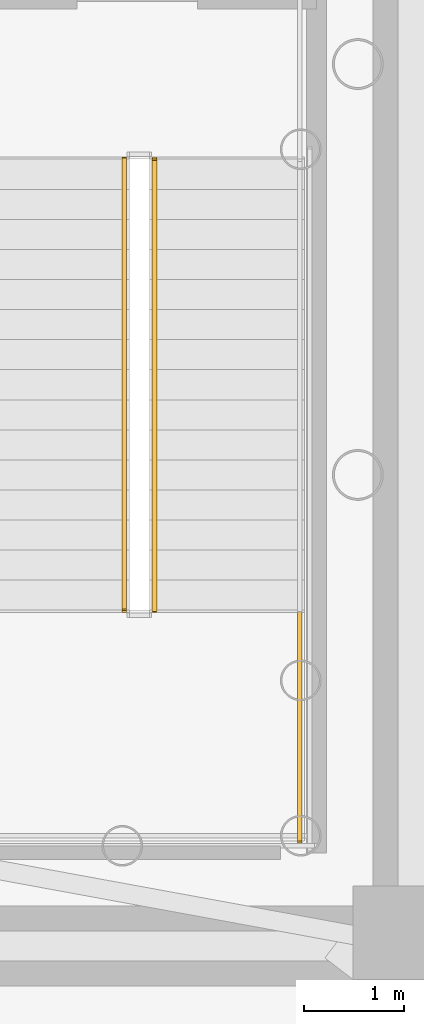
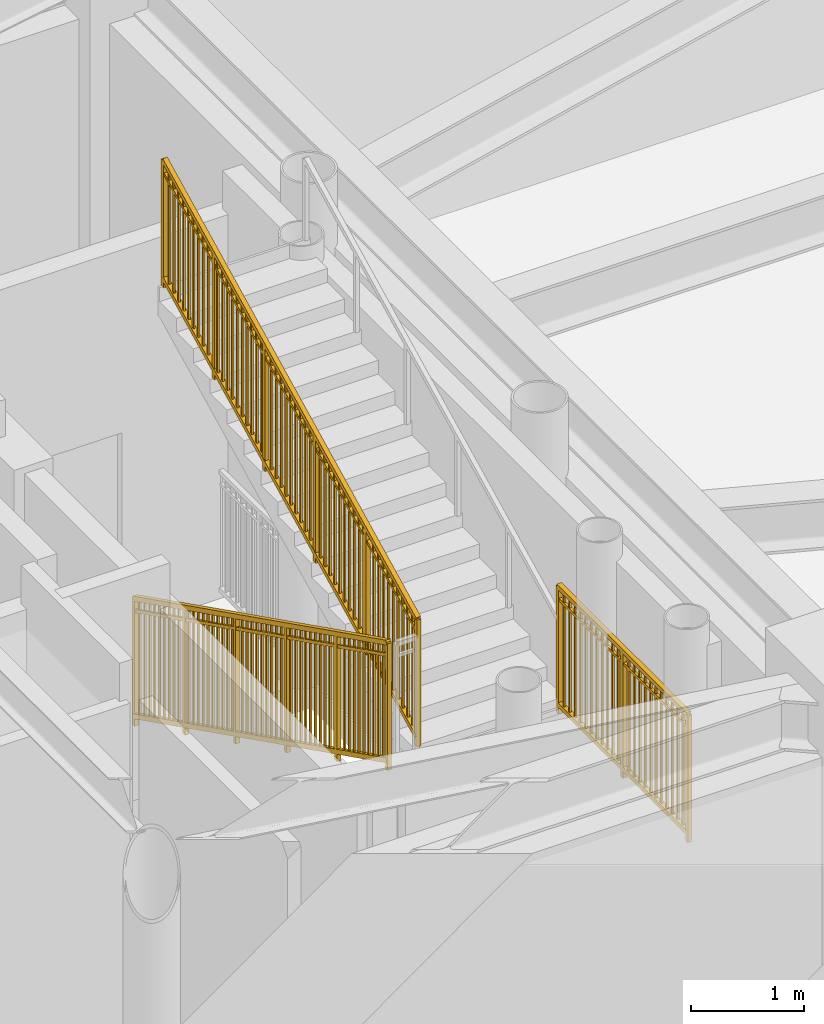
# One storey, part 36 of 38: 3 railings.
"""IFC4 building model written with IfcOpenShell, lengths in metres."""

from ifc_helpers import new_model, si_unit, direction, frame, origin, origin_2d, place, context, subcontext, project, spatial, rectangle, extrude, source, transform, mapped, material, type_object, element, save


model = new_model("IFC4")

# Units and contexts
model_context = context("Model", 3, precision=1e-05, world=origin(), true_north=direction((0.0, 1.0)))
body_context = subcontext(model_context, "Body", "Model", "MODEL_VIEW")
ifc_project = project(units=[si_unit("LENGTHUNIT", "METRE"), si_unit("AREAUNIT", "SQUARE_METRE"), si_unit("VOLUMEUNIT", "CUBIC_METRE"), si_unit("PLANEANGLEUNIT", "RADIAN"), si_unit("MASSUNIT", "GRAM", prefix="KILO")], contexts=[model_context])

# Site, building, storey
site_placement = place(None, origin())
site = spatial("IfcSite", under=ifc_project, at=site_placement, CompositionType="ELEMENT")
building_placement = place(site_placement, origin())
building = spatial("IfcBuilding", under=site, at=building_placement, Name="Linh Dai School and Residence Tower", CompositionType="ELEMENT")
storey_placement = place(building_placement, frame((0.0, 0.0, 151.35009765625)))
storey = spatial("IfcBuildingStorey", under=building, at=storey_placement, Name="L36", CompositionType="ELEMENT", Elevation=151.35009765625)

# Railings
ifc_material = material(Name="Structural Steel S355JR", Category="steel")
railing_type = type_object("IfcRailingType", Name="RL-ST-GUARD-1400", PredefinedType="GUARDRAIL", material=ifc_material)
shared_shape_1 = source(origin(), body_context, "Body", "SweptSolid", [
    extrude(rectangle(XDim=0.048095703125, YDim=0.048095703125, at=origin_2d()), frame((0.0, 0.0, 1.3759765625), z_axis=(0.0, 0.894427191, 0.4472135955), x_axis=(-1.0, 0.0, 0.0)), (0.0, 0.0, 1.0), 5.03125),
    extrude(rectangle(XDim=0.048095703125, YDim=0.048095703125, at=origin_2d()), frame((0.0, 0.0, 0.10009765625), z_axis=(0.0, 0.894427191, 0.4472135955), x_axis=(-1.0, 0.0, 0.0)), (0.0, 0.0, 1.0), 5.03125),
    extrude(rectangle(XDim=0.030029296875, YDim=0.030029296875, at=origin_2d()), frame((0.0, 0.0, 1.239990234375), z_axis=(0.0, 0.894427191, 0.4472135955), x_axis=(-1.0, 0.0, 0.0)), (0.0, 0.0, 1.0), 5.03125),
    extrude(rectangle(XDim=0.02001953125, YDim=0.02001953125, at=origin_2d()), frame((0.0, 0.08642578125, 0.143310546875)), (0.0, 0.0, 1.0), 1.251708984375),
    extrude(rectangle(XDim=0.02001953125, YDim=0.02001953125, at=origin_2d()), frame((0.0, 0.173095703125, 0.1865234375)), (0.0, 0.0, 1.0), 1.251708984375),
    extrude(rectangle(XDim=0.02001953125, YDim=0.02001953125, at=origin_2d()), frame((0.0, 0.259521484375, 0.22998046875)), (0.0, 0.0, 1.0), 1.251708984375),
    extrude(rectangle(XDim=0.02001953125, YDim=0.02001953125, at=origin_2d()), frame((0.0, 0.34619140625, 0.273193359375)), (0.0, 0.0, 1.0), 1.251708984375),
    extrude(rectangle(XDim=0.02001953125, YDim=0.02001953125, at=origin_2d()), frame((0.0, 0.4326171875, 0.31640625)), (0.0, 0.0, 1.0), 1.251708984375),
    extrude(rectangle(XDim=0.02001953125, YDim=0.02001953125, at=origin_2d()), frame((0.0, 0.519287109375, 0.359619140625)), (0.0, 0.0, 1.0), 1.251708984375),
    extrude(rectangle(XDim=0.02001953125, YDim=0.02001953125, at=origin_2d()), frame((0.0, 0.605712890625, 0.403076171875)), (0.0, 0.0, 1.0), 1.251708984375),
    extrude(rectangle(XDim=0.02001953125, YDim=0.02001953125, at=origin_2d()), frame((0.0, 0.6923828125, 0.4462890625)), (0.0, 0.0, 1.0), 1.251708984375),
    extrude(rectangle(XDim=0.02001953125, YDim=0.02001953125, at=origin_2d()), frame((0.0, 0.77880859375, 0.489501953125)), (0.0, 0.0, 1.0), 1.251708984375),
    extrude(rectangle(XDim=0.02001953125, YDim=0.02001953125, at=origin_2d()), frame((0.0, 0.951904296875, 0.576171875)), (0.0, 0.0, 1.0), 1.251708984375),
    extrude(rectangle(XDim=0.02001953125, YDim=0.02001953125, at=origin_2d()), frame((0.0, 1.03857421875, 0.619384765625)), (0.0, 0.0, 1.0), 1.251708984375),
    extrude(rectangle(XDim=0.02001953125, YDim=0.02001953125, at=origin_2d()), frame((0.0, 1.125, 0.66259765625)), (0.0, 0.0, 1.0), 1.251708984375),
    extrude(rectangle(XDim=0.02001953125, YDim=0.02001953125, at=origin_2d()), frame((0.0, 1.21142578125, 0.705810546875)), (0.0, 0.0, 1.0), 1.251708984375),
    extrude(rectangle(XDim=0.02001953125, YDim=0.02001953125, at=origin_2d()), frame((0.0, 1.298095703125, 0.7490234375)), (0.0, 0.0, 1.0), 1.251708984375),
    extrude(rectangle(XDim=0.02001953125, YDim=0.02001953125, at=origin_2d()), frame((0.0, 1.384521484375, 0.79248046875)), (0.0, 0.0, 1.0), 1.251708984375),
    extrude(rectangle(XDim=0.02001953125, YDim=0.02001953125, at=origin_2d()), frame((0.0, 1.47119140625, 0.835693359375)), (0.0, 0.0, 1.0), 1.251708984375),
    extrude(rectangle(XDim=0.02001953125, YDim=0.02001953125, at=origin_2d()), frame((0.0, 1.5576171875, 0.87890625)), (0.0, 0.0, 1.0), 1.251708984375),
    extrude(rectangle(XDim=0.02001953125, YDim=0.02001953125, at=origin_2d()), frame((0.0, 1.644287109375, 0.922119140625)), (0.0, 0.0, 1.0), 1.251708984375),
    extrude(rectangle(XDim=0.02001953125, YDim=0.02001953125, at=origin_2d()), frame((0.0, 1.730712890625, 0.965576171875)), (0.0, 0.0, 1.0), 1.251708984375),
    extrude(rectangle(XDim=0.02001953125, YDim=0.02001953125, at=origin_2d()), frame((0.0, 1.90380859375, 1.052001953125)), (0.0, 0.0, 1.0), 1.251708984375),
    extrude(rectangle(XDim=0.02001953125, YDim=0.02001953125, at=origin_2d()), frame((0.0, 1.990478515625, 1.09521484375)), (0.0, 0.0, 1.0), 1.251708984375),
    extrude(rectangle(XDim=0.02001953125, YDim=0.02001953125, at=origin_2d()), frame((0.0, 2.076904296875, 1.138671875)), (0.0, 0.0, 1.0), 1.251708984375),
    extrude(rectangle(XDim=0.02001953125, YDim=0.02001953125, at=origin_2d()), frame((0.0, 2.16357421875, 1.181884765625)), (0.0, 0.0, 1.0), 1.251708984375),
    extrude(rectangle(XDim=0.02001953125, YDim=0.02001953125, at=origin_2d()), frame((0.0, 2.25, 1.22509765625)), (0.0, 0.0, 1.0), 1.251708984375),
    extrude(rectangle(XDim=0.02001953125, YDim=0.02001953125, at=origin_2d()), frame((0.0, 2.33642578125, 1.268310546875)), (0.0, 0.0, 1.0), 1.251708984375),
    extrude(rectangle(XDim=0.02001953125, YDim=0.02001953125, at=origin_2d()), frame((0.0, 2.423095703125, 1.3115234375)), (0.0, 0.0, 1.0), 1.251708984375),
    extrude(rectangle(XDim=0.02001953125, YDim=0.02001953125, at=origin_2d()), frame((0.0, 2.509521484375, 1.35498046875)), (0.0, 0.0, 1.0), 1.251708984375),
    extrude(rectangle(XDim=0.02001953125, YDim=0.02001953125, at=origin_2d()), frame((0.0, 2.59619140625, 1.398193359375)), (0.0, 0.0, 1.0), 1.251708984375),
    extrude(rectangle(XDim=0.02001953125, YDim=0.02001953125, at=origin_2d()), frame((0.0, 2.769287109375, 1.484619140625)), (0.0, 0.0, 1.0), 1.251708984375),
    extrude(rectangle(XDim=0.02001953125, YDim=0.02001953125, at=origin_2d()), frame((0.0, 2.855712890625, 1.528076171875)), (0.0, 0.0, 1.0), 1.251708984375),
    extrude(rectangle(XDim=0.02001953125, YDim=0.02001953125, at=origin_2d()), frame((0.0, 2.9423828125, 1.5712890625)), (0.0, 0.0, 1.0), 1.251708984375),
    extrude(rectangle(XDim=0.02001953125, YDim=0.02001953125, at=origin_2d()), frame((0.0, 3.02880859375, 1.614501953125)), (0.0, 0.0, 1.0), 1.251708984375),
    extrude(rectangle(XDim=0.02001953125, YDim=0.02001953125, at=origin_2d()), frame((0.0, 3.115478515625, 1.65771484375)), (0.0, 0.0, 1.0), 1.251708984375),
    extrude(rectangle(XDim=0.02001953125, YDim=0.02001953125, at=origin_2d()), frame((0.0, 3.201904296875, 1.701171875)), (0.0, 0.0, 1.0), 1.251708984375),
    extrude(rectangle(XDim=0.02001953125, YDim=0.02001953125, at=origin_2d()), frame((0.0, 3.28857421875, 1.744384765625)), (0.0, 0.0, 1.0), 1.251708984375),
    extrude(rectangle(XDim=0.02001953125, YDim=0.02001953125, at=origin_2d()), frame((0.0, 3.375, 1.78759765625)), (0.0, 0.0, 1.0), 1.251708984375),
    extrude(rectangle(XDim=0.02001953125, YDim=0.02001953125, at=origin_2d()), frame((0.0, 3.46142578125, 1.830810546875)), (0.0, 0.0, 1.0), 1.251708984375),
    extrude(rectangle(XDim=0.02001953125, YDim=0.02001953125, at=origin_2d()), frame((0.0, 3.548095703125, 1.8740234375)), (0.0, 0.0, 1.0), 1.251708984375),
    extrude(rectangle(XDim=0.02001953125, YDim=0.02001953125, at=origin_2d()), frame((0.0, 3.72119140625, 1.960693359375)), (0.0, 0.0, 1.0), 1.251708984375),
    extrude(rectangle(XDim=0.02001953125, YDim=0.02001953125, at=origin_2d()), frame((0.0, 3.8076171875, 2.00390625)), (0.0, 0.0, 1.0), 1.251708984375),
    extrude(rectangle(XDim=0.02001953125, YDim=0.02001953125, at=origin_2d()), frame((0.0, 3.894287109375, 2.047119140625)), (0.0, 0.0, 1.0), 1.251708984375),
    extrude(rectangle(XDim=0.02001953125, YDim=0.02001953125, at=origin_2d()), frame((0.0, 3.980712890625, 2.090576171875)), (0.0, 0.0, 1.0), 1.251708984375),
    extrude(rectangle(XDim=0.02001953125, YDim=0.02001953125, at=origin_2d()), frame((0.0, 4.0673828125, 2.1337890625)), (0.0, 0.0, 1.0), 1.251708984375),
    extrude(rectangle(XDim=0.02001953125, YDim=0.02001953125, at=origin_2d()), frame((0.0, 4.15380859375, 2.177001953125)), (0.0, 0.0, 1.0), 1.251708984375),
    extrude(rectangle(XDim=0.02001953125, YDim=0.02001953125, at=origin_2d()), frame((0.0, 4.240478515625, 2.22021484375)), (0.0, 0.0, 1.0), 1.251708984375),
    extrude(rectangle(XDim=0.02001953125, YDim=0.02001953125, at=origin_2d()), frame((0.0, 4.326904296875, 2.263671875)), (0.0, 0.0, 1.0), 1.251708984375),
    extrude(rectangle(XDim=0.02001953125, YDim=0.02001953125, at=origin_2d()), frame((0.0, 4.41357421875, 2.306884765625)), (0.0, 0.0, 1.0), 1.251708984375),
    extrude(rectangle(XDim=0.0419921875, YDim=0.0419921875, at=origin_2d()), origin(), (0.0, 0.0, 1.0), 1.3759765625),
    extrude(rectangle(XDim=0.0419921875, YDim=0.0419921875, at=origin_2d()), frame((0.0, 0.89990234375, 0.449951171875)), (0.0, 0.0, 1.0), 1.3759765625),
    extrude(rectangle(XDim=0.0419921875, YDim=0.0419921875, at=origin_2d()), frame((0.0, 1.800048828125, 0.89990234375)), (0.0, 0.0, 1.0), 1.3759765625),
    extrude(rectangle(XDim=0.0419921875, YDim=0.0419921875, at=origin_2d()), frame((0.0, 2.699951171875, 1.35009765625)), (0.0, 0.0, 1.0), 1.3759765625),
    extrude(rectangle(XDim=0.0419921875, YDim=0.0419921875, at=origin_2d()), frame((0.0, 3.60009765625, 1.800048828125)), (0.0, 0.0, 1.0), 1.3759765625),
    extrude(rectangle(XDim=0.0419921875, YDim=0.0419921875, at=origin_2d()), frame((0.0, 4.5, 2.25)), (0.0, 0.0, 1.0), 1.3759765625),
])
railing_1_placement = place(storey_placement, frame((42.820068359375, 23.75, 2.5498046875)))
element("IfcRailing", 1, at=railing_1_placement, inside=storey, type_object=railing_type, Name="L36 ST2 stair guard 6", PredefinedType="GUARDRAIL", context=body_context, shape_type="MappedRepresentation", body=[
    mapped(shared_shape_1, transform((0.0, 0.0, 0.0), x_axis=(1.0, 0.0, 0.0), y_axis=(0.0, 1.0, 0.0), z_axis=(0.0, 0.0, 1.0), scale=1.0)),
])
shared_shape_2 = source(origin(), body_context, "Body", "SweptSolid", [
    extrude(rectangle(XDim=0.048095703125, YDim=0.048095703125, at=origin_2d()), frame((0.0, 0.0, 1.3759765625), z_axis=(0.0, -0.894427191, 0.4472135955), x_axis=(1.0, 0.0, 0.0)), (0.0, 0.0, 1.0), 5.03125),
    extrude(rectangle(XDim=0.048095703125, YDim=0.048095703125, at=origin_2d()), frame((0.0, 0.0, 0.10009765625), z_axis=(0.0, -0.894427191, 0.4472135955), x_axis=(1.0, 0.0, 0.0)), (0.0, 0.0, 1.0), 5.03125),
    extrude(rectangle(XDim=0.030029296875, YDim=0.030029296875, at=origin_2d()), frame((0.0, 0.0, 1.239990234375), z_axis=(0.0, -0.894427191, 0.4472135955), x_axis=(1.0, 0.0, 0.0)), (0.0, 0.0, 1.0), 5.03125),
    extrude(rectangle(XDim=0.02001953125, YDim=0.02001953125, at=origin_2d()), frame((0.0, -0.08642578125, 0.143310546875)), (0.0, 0.0, 1.0), 1.251708984375),
    extrude(rectangle(XDim=0.02001953125, YDim=0.02001953125, at=origin_2d()), frame((0.0, -0.173095703125, 0.1865234375)), (0.0, 0.0, 1.0), 1.251708984375),
    extrude(rectangle(XDim=0.02001953125, YDim=0.02001953125, at=origin_2d()), frame((0.0, -0.259521484375, 0.22998046875)), (0.0, 0.0, 1.0), 1.251708984375),
    extrude(rectangle(XDim=0.02001953125, YDim=0.02001953125, at=origin_2d()), frame((0.0, -0.34619140625, 0.273193359375)), (0.0, 0.0, 1.0), 1.251708984375),
    extrude(rectangle(XDim=0.02001953125, YDim=0.02001953125, at=origin_2d()), frame((0.0, -0.4326171875, 0.31640625)), (0.0, 0.0, 1.0), 1.251708984375),
    extrude(rectangle(XDim=0.02001953125, YDim=0.02001953125, at=origin_2d()), frame((0.0, -0.519287109375, 0.359619140625)), (0.0, 0.0, 1.0), 1.251708984375),
    extrude(rectangle(XDim=0.02001953125, YDim=0.02001953125, at=origin_2d()), frame((0.0, -0.605712890625, 0.403076171875)), (0.0, 0.0, 1.0), 1.251708984375),
    extrude(rectangle(XDim=0.02001953125, YDim=0.02001953125, at=origin_2d()), frame((0.0, -0.6923828125, 0.4462890625)), (0.0, 0.0, 1.0), 1.251708984375),
    extrude(rectangle(XDim=0.02001953125, YDim=0.02001953125, at=origin_2d()), frame((0.0, -0.77880859375, 0.489501953125)), (0.0, 0.0, 1.0), 1.251708984375),
    extrude(rectangle(XDim=0.02001953125, YDim=0.02001953125, at=origin_2d()), frame((0.0, -0.951904296875, 0.576171875)), (0.0, 0.0, 1.0), 1.251708984375),
    extrude(rectangle(XDim=0.02001953125, YDim=0.02001953125, at=origin_2d()), frame((0.0, -1.03857421875, 0.619384765625)), (0.0, 0.0, 1.0), 1.251708984375),
    extrude(rectangle(XDim=0.02001953125, YDim=0.02001953125, at=origin_2d()), frame((0.0, -1.125, 0.66259765625)), (0.0, 0.0, 1.0), 1.251708984375),
    extrude(rectangle(XDim=0.02001953125, YDim=0.02001953125, at=origin_2d()), frame((0.0, -1.21142578125, 0.705810546875)), (0.0, 0.0, 1.0), 1.251708984375),
    extrude(rectangle(XDim=0.02001953125, YDim=0.02001953125, at=origin_2d()), frame((0.0, -1.298095703125, 0.7490234375)), (0.0, 0.0, 1.0), 1.251708984375),
    extrude(rectangle(XDim=0.02001953125, YDim=0.02001953125, at=origin_2d()), frame((0.0, -1.384521484375, 0.79248046875)), (0.0, 0.0, 1.0), 1.251708984375),
    extrude(rectangle(XDim=0.02001953125, YDim=0.02001953125, at=origin_2d()), frame((0.0, -1.47119140625, 0.835693359375)), (0.0, 0.0, 1.0), 1.251708984375),
    extrude(rectangle(XDim=0.02001953125, YDim=0.02001953125, at=origin_2d()), frame((0.0, -1.5576171875, 0.87890625)), (0.0, 0.0, 1.0), 1.251708984375),
    extrude(rectangle(XDim=0.02001953125, YDim=0.02001953125, at=origin_2d()), frame((0.0, -1.644287109375, 0.922119140625)), (0.0, 0.0, 1.0), 1.251708984375),
    extrude(rectangle(XDim=0.02001953125, YDim=0.02001953125, at=origin_2d()), frame((0.0, -1.730712890625, 0.965576171875)), (0.0, 0.0, 1.0), 1.251708984375),
    extrude(rectangle(XDim=0.02001953125, YDim=0.02001953125, at=origin_2d()), frame((0.0, -1.90380859375, 1.052001953125)), (0.0, 0.0, 1.0), 1.251708984375),
    extrude(rectangle(XDim=0.02001953125, YDim=0.02001953125, at=origin_2d()), frame((0.0, -1.990478515625, 1.09521484375)), (0.0, 0.0, 1.0), 1.251708984375),
    extrude(rectangle(XDim=0.02001953125, YDim=0.02001953125, at=origin_2d()), frame((0.0, -2.076904296875, 1.138671875)), (0.0, 0.0, 1.0), 1.251708984375),
    extrude(rectangle(XDim=0.02001953125, YDim=0.02001953125, at=origin_2d()), frame((0.0, -2.16357421875, 1.181884765625)), (0.0, 0.0, 1.0), 1.251708984375),
    extrude(rectangle(XDim=0.02001953125, YDim=0.02001953125, at=origin_2d()), frame((0.0, -2.25, 1.22509765625)), (0.0, 0.0, 1.0), 1.251708984375),
    extrude(rectangle(XDim=0.02001953125, YDim=0.02001953125, at=origin_2d()), frame((0.0, -2.33642578125, 1.268310546875)), (0.0, 0.0, 1.0), 1.251708984375),
    extrude(rectangle(XDim=0.02001953125, YDim=0.02001953125, at=origin_2d()), frame((0.0, -2.423095703125, 1.3115234375)), (0.0, 0.0, 1.0), 1.251708984375),
    extrude(rectangle(XDim=0.02001953125, YDim=0.02001953125, at=origin_2d()), frame((0.0, -2.509521484375, 1.35498046875)), (0.0, 0.0, 1.0), 1.251708984375),
    extrude(rectangle(XDim=0.02001953125, YDim=0.02001953125, at=origin_2d()), frame((0.0, -2.59619140625, 1.398193359375)), (0.0, 0.0, 1.0), 1.251708984375),
    extrude(rectangle(XDim=0.02001953125, YDim=0.02001953125, at=origin_2d()), frame((0.0, -2.769287109375, 1.484619140625)), (0.0, 0.0, 1.0), 1.251708984375),
    extrude(rectangle(XDim=0.02001953125, YDim=0.02001953125, at=origin_2d()), frame((0.0, -2.855712890625, 1.528076171875)), (0.0, 0.0, 1.0), 1.251708984375),
    extrude(rectangle(XDim=0.02001953125, YDim=0.02001953125, at=origin_2d()), frame((0.0, -2.9423828125, 1.5712890625)), (0.0, 0.0, 1.0), 1.251708984375),
    extrude(rectangle(XDim=0.02001953125, YDim=0.02001953125, at=origin_2d()), frame((0.0, -3.02880859375, 1.614501953125)), (0.0, 0.0, 1.0), 1.251708984375),
    extrude(rectangle(XDim=0.02001953125, YDim=0.02001953125, at=origin_2d()), frame((0.0, -3.115478515625, 1.65771484375)), (0.0, 0.0, 1.0), 1.251708984375),
    extrude(rectangle(XDim=0.02001953125, YDim=0.02001953125, at=origin_2d()), frame((0.0, -3.201904296875, 1.701171875)), (0.0, 0.0, 1.0), 1.251708984375),
    extrude(rectangle(XDim=0.02001953125, YDim=0.02001953125, at=origin_2d()), frame((0.0, -3.28857421875, 1.744384765625)), (0.0, 0.0, 1.0), 1.251708984375),
    extrude(rectangle(XDim=0.02001953125, YDim=0.02001953125, at=origin_2d()), frame((0.0, -3.375, 1.78759765625)), (0.0, 0.0, 1.0), 1.251708984375),
    extrude(rectangle(XDim=0.02001953125, YDim=0.02001953125, at=origin_2d()), frame((0.0, -3.46142578125, 1.830810546875)), (0.0, 0.0, 1.0), 1.251708984375),
    extrude(rectangle(XDim=0.02001953125, YDim=0.02001953125, at=origin_2d()), frame((0.0, -3.548095703125, 1.8740234375)), (0.0, 0.0, 1.0), 1.251708984375),
    extrude(rectangle(XDim=0.02001953125, YDim=0.02001953125, at=origin_2d()), frame((0.0, -3.72119140625, 1.960693359375)), (0.0, 0.0, 1.0), 1.251708984375),
    extrude(rectangle(XDim=0.02001953125, YDim=0.02001953125, at=origin_2d()), frame((0.0, -3.8076171875, 2.00390625)), (0.0, 0.0, 1.0), 1.251708984375),
    extrude(rectangle(XDim=0.02001953125, YDim=0.02001953125, at=origin_2d()), frame((0.0, -3.894287109375, 2.047119140625)), (0.0, 0.0, 1.0), 1.251708984375),
    extrude(rectangle(XDim=0.02001953125, YDim=0.02001953125, at=origin_2d()), frame((0.0, -3.980712890625, 2.090576171875)), (0.0, 0.0, 1.0), 1.251708984375),
    extrude(rectangle(XDim=0.02001953125, YDim=0.02001953125, at=origin_2d()), frame((0.0, -4.0673828125, 2.1337890625)), (0.0, 0.0, 1.0), 1.251708984375),
    extrude(rectangle(XDim=0.02001953125, YDim=0.02001953125, at=origin_2d()), frame((0.0, -4.15380859375, 2.177001953125)), (0.0, 0.0, 1.0), 1.251708984375),
    extrude(rectangle(XDim=0.02001953125, YDim=0.02001953125, at=origin_2d()), frame((0.0, -4.240478515625, 2.22021484375)), (0.0, 0.0, 1.0), 1.251708984375),
    extrude(rectangle(XDim=0.02001953125, YDim=0.02001953125, at=origin_2d()), frame((0.0, -4.326904296875, 2.263671875)), (0.0, 0.0, 1.0), 1.251708984375),
    extrude(rectangle(XDim=0.02001953125, YDim=0.02001953125, at=origin_2d()), frame((0.0, -4.41357421875, 2.306884765625)), (0.0, 0.0, 1.0), 1.251708984375),
    extrude(rectangle(XDim=0.0419921875, YDim=0.0419921875, at=origin_2d()), origin(), (0.0, 0.0, 1.0), 1.3759765625),
    extrude(rectangle(XDim=0.0419921875, YDim=0.0419921875, at=origin_2d()), frame((0.0, -0.89990234375, 0.449951171875)), (0.0, 0.0, 1.0), 1.3759765625),
    extrude(rectangle(XDim=0.0419921875, YDim=0.0419921875, at=origin_2d()), frame((0.0, -1.800048828125, 0.89990234375)), (0.0, 0.0, 1.0), 1.3759765625),
    extrude(rectangle(XDim=0.0419921875, YDim=0.0419921875, at=origin_2d()), frame((0.0, -2.699951171875, 1.35009765625)), (0.0, 0.0, 1.0), 1.3759765625),
    extrude(rectangle(XDim=0.0419921875, YDim=0.0419921875, at=origin_2d()), frame((0.0, -3.60009765625, 1.800048828125)), (0.0, 0.0, 1.0), 1.3759765625),
    extrude(rectangle(XDim=0.0419921875, YDim=0.0419921875, at=origin_2d()), frame((0.0, -4.5, 2.25)), (0.0, 0.0, 1.0), 1.3759765625),
])
railing_2_placement = place(storey_placement, frame((42.52001953125, 28.25, 0.14990234375)))
element("IfcRailing", 2, at=railing_2_placement, inside=storey, type_object=railing_type, Name="L36 ST2 stair guard 1", PredefinedType="GUARDRAIL", context=body_context, shape_type="MappedRepresentation", body=[
    mapped(shared_shape_2, transform((0.0, 0.0, 0.0), x_axis=(1.0, 0.0, 0.0), y_axis=(0.0, 1.0, 0.0), z_axis=(0.0, 0.0, 1.0), scale=1.0)),
])
shared_shape_3 = source(origin(), body_context, "Body", "SweptSolid", [
    extrude(rectangle(XDim=0.048095703125, YDim=0.048095703125, at=origin_2d()), frame((0.0, 0.0, 1.3759765625), z_axis=(0.0, -1.0, 0.0), x_axis=(1.0, 0.0, 0.0)), (0.0, 0.0, 1.0), 2.300048828125),
    extrude(rectangle(XDim=0.048095703125, YDim=0.048095703125, at=origin_2d()), frame((0.0, 0.0, 0.10009765625), z_axis=(0.0, -1.0, 0.0), x_axis=(1.0, 0.0, 0.0)), (0.0, 0.0, 1.0), 2.300048828125),
    extrude(rectangle(XDim=0.030029296875, YDim=0.030029296875, at=origin_2d()), frame((0.0, 0.0, 1.239990234375), z_axis=(0.0, -1.0, 0.0), x_axis=(1.0, 0.0, 0.0)), (0.0, 0.0, 1.0), 2.300048828125),
    extrude(rectangle(XDim=0.02001953125, YDim=0.02001953125, at=origin_2d()), frame((0.0, -0.095947265625, 0.10009765625)), (0.0, 0.0, 1.0), 1.251708984375),
    extrude(rectangle(XDim=0.02001953125, YDim=0.02001953125, at=origin_2d()), frame((0.0, -0.191650390625, 0.10009765625)), (0.0, 0.0, 1.0), 1.251708984375),
    extrude(rectangle(XDim=0.02001953125, YDim=0.02001953125, at=origin_2d()), frame((0.0, -0.28759765625, 0.10009765625)), (0.0, 0.0, 1.0), 1.251708984375),
    extrude(rectangle(XDim=0.02001953125, YDim=0.02001953125, at=origin_2d()), frame((0.0, -0.38330078125, 0.10009765625)), (0.0, 0.0, 1.0), 1.251708984375),
    extrude(rectangle(XDim=0.02001953125, YDim=0.02001953125, at=origin_2d()), frame((0.0, -0.479248046875, 0.10009765625)), (0.0, 0.0, 1.0), 1.251708984375),
    extrude(rectangle(XDim=0.02001953125, YDim=0.02001953125, at=origin_2d()), frame((0.0, -0.574951171875, 0.10009765625)), (0.0, 0.0, 1.0), 1.251708984375),
    extrude(rectangle(XDim=0.02001953125, YDim=0.02001953125, at=origin_2d()), frame((0.0, -0.6708984375, 0.10009765625)), (0.0, 0.0, 1.0), 1.251708984375),
    extrude(rectangle(XDim=0.02001953125, YDim=0.02001953125, at=origin_2d()), frame((0.0, -0.7666015625, 0.10009765625)), (0.0, 0.0, 1.0), 1.251708984375),
    extrude(rectangle(XDim=0.02001953125, YDim=0.02001953125, at=origin_2d()), frame((0.0, -0.862548828125, 0.10009765625)), (0.0, 0.0, 1.0), 1.251708984375),
    extrude(rectangle(XDim=0.02001953125, YDim=0.02001953125, at=origin_2d()), frame((0.0, -0.958251953125, 0.10009765625)), (0.0, 0.0, 1.0), 1.251708984375),
    extrude(rectangle(XDim=0.02001953125, YDim=0.02001953125, at=origin_2d()), frame((0.0, -1.05419921875, 0.10009765625)), (0.0, 0.0, 1.0), 1.251708984375),
    extrude(rectangle(XDim=0.02001953125, YDim=0.02001953125, at=origin_2d()), frame((0.0, -1.245849609375, 0.10009765625)), (0.0, 0.0, 1.0), 1.251708984375),
    extrude(rectangle(XDim=0.02001953125, YDim=0.02001953125, at=origin_2d()), frame((0.0, -1.341796875, 0.10009765625)), (0.0, 0.0, 1.0), 1.251708984375),
    extrude(rectangle(XDim=0.02001953125, YDim=0.02001953125, at=origin_2d()), frame((0.0, -1.4375, 0.10009765625)), (0.0, 0.0, 1.0), 1.251708984375),
    extrude(rectangle(XDim=0.02001953125, YDim=0.02001953125, at=origin_2d()), frame((0.0, -1.533447265625, 0.10009765625)), (0.0, 0.0, 1.0), 1.251708984375),
    extrude(rectangle(XDim=0.02001953125, YDim=0.02001953125, at=origin_2d()), frame((0.0, -1.629150390625, 0.10009765625)), (0.0, 0.0, 1.0), 1.251708984375),
    extrude(rectangle(XDim=0.02001953125, YDim=0.02001953125, at=origin_2d()), frame((0.0, -1.72509765625, 0.10009765625)), (0.0, 0.0, 1.0), 1.251708984375),
    extrude(rectangle(XDim=0.02001953125, YDim=0.02001953125, at=origin_2d()), frame((0.0, -1.82080078125, 0.10009765625)), (0.0, 0.0, 1.0), 1.251708984375),
    extrude(rectangle(XDim=0.02001953125, YDim=0.02001953125, at=origin_2d()), frame((0.0, -1.916748046875, 0.10009765625)), (0.0, 0.0, 1.0), 1.251708984375),
    extrude(rectangle(XDim=0.02001953125, YDim=0.02001953125, at=origin_2d()), frame((0.0, -2.012451171875, 0.10009765625)), (0.0, 0.0, 1.0), 1.251708984375),
    extrude(rectangle(XDim=0.02001953125, YDim=0.02001953125, at=origin_2d()), frame((0.0, -2.1083984375, 0.10009765625)), (0.0, 0.0, 1.0), 1.251708984375),
    extrude(rectangle(XDim=0.02001953125, YDim=0.02001953125, at=origin_2d()), frame((0.0, -2.2041015625, 0.10009765625)), (0.0, 0.0, 1.0), 1.251708984375),
    extrude(rectangle(XDim=0.0419921875, YDim=0.0419921875, at=origin_2d()), origin(), (0.0, 0.0, 1.0), 1.3759765625),
    extrude(rectangle(XDim=0.0419921875, YDim=0.0419921875, at=origin_2d()), frame((0.0, -1.14990234375, 0.0)), (0.0, 0.0, 1.0), 1.3759765625),
    extrude(rectangle(XDim=0.0419921875, YDim=0.0419921875, at=origin_2d()), frame((0.0, -2.300048828125, 0.0)), (0.0, 0.0, 1.0), 1.3759765625),
])
railing_3_placement = place(storey_placement, frame((44.27001953125, 23.75, 2.39990234375)))
element("IfcRailing", 3, at=railing_3_placement, inside=storey, type_object=railing_type, Name="L36 ST2 stair guard 4", PredefinedType="GUARDRAIL", context=body_context, shape_type="MappedRepresentation", body=[
    mapped(shared_shape_3, transform((0.0, 0.0, 0.0), x_axis=(1.0, 0.0, 0.0), y_axis=(0.0, 1.0, 0.0), z_axis=(0.0, 0.0, 1.0), scale=1.0)),
])

save(model, "model.ifc")
